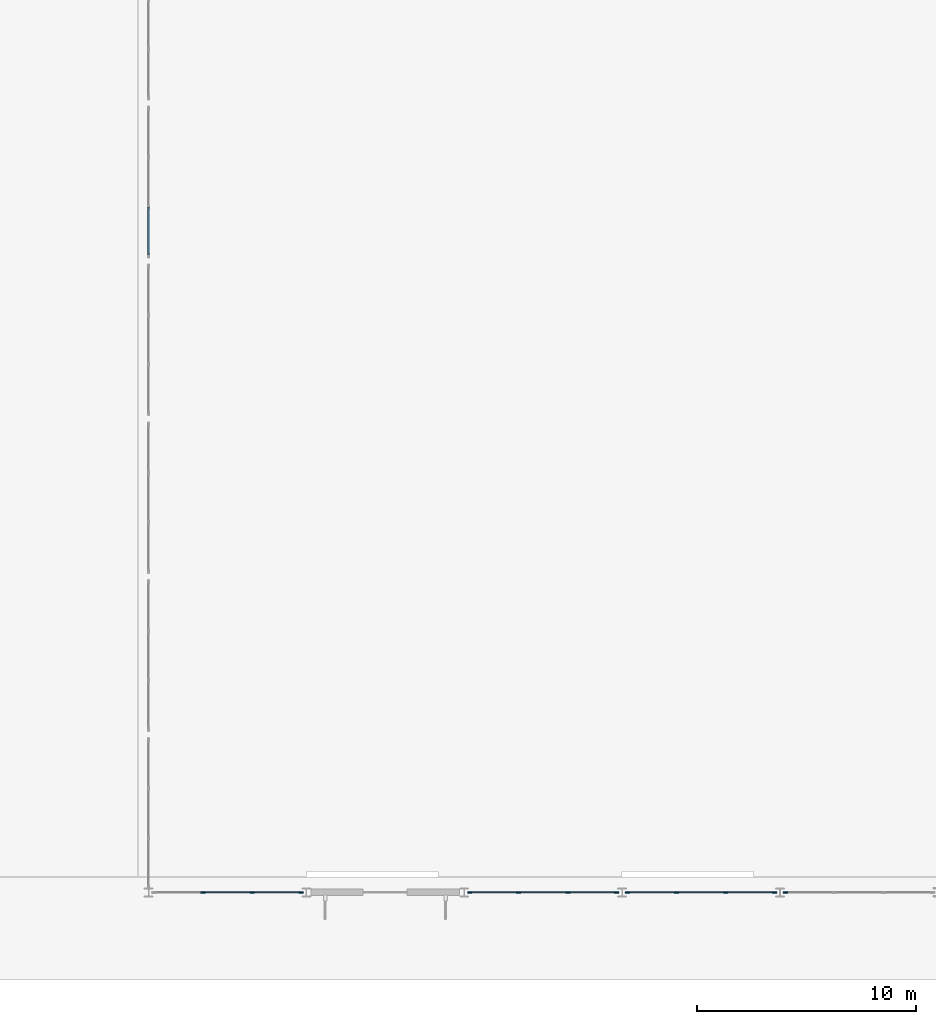
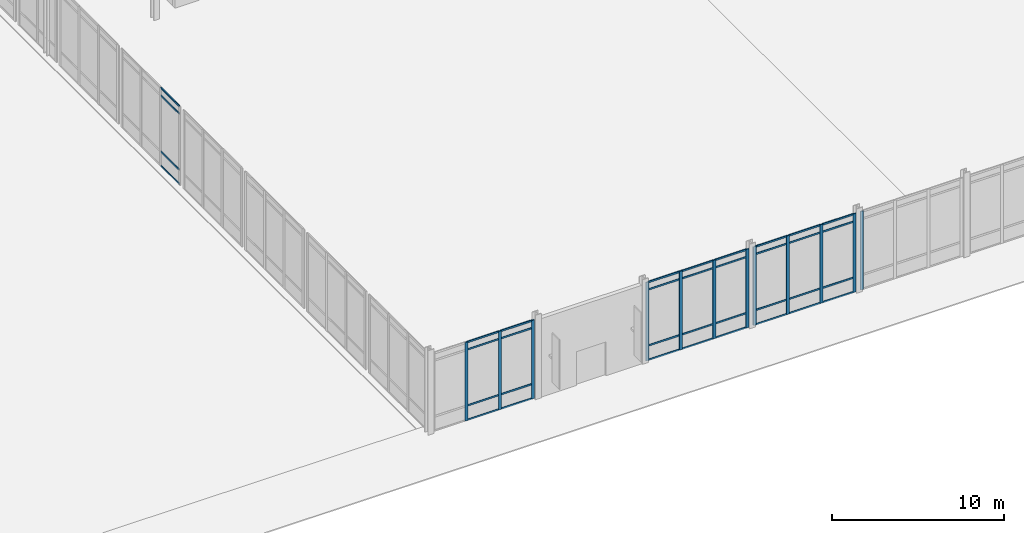
# One storey, part 20 of 104: 48 members, 5 elements without a shape of their own.
"""IFC4 building model written with IfcOpenShell, lengths in metres."""

from ifc_helpers import new_model, si_unit, direction, frame, origin, origin_2d, place, context, subcontext, project, spatial, rectangle, extrude, material, material_profile, profile_set, type_object, element, aggregate, save


model = new_model("IFC4")

# Units and contexts
model_context = context("Model", 3, precision=1e-05, world=origin(), true_north=direction((0.0, 1.0)))
body_context = subcontext(model_context, "Body", "Model", "MODEL_VIEW")
ifc_project = project(units=[si_unit("LENGTHUNIT", "METRE"), si_unit("AREAUNIT", "SQUARE_METRE"), si_unit("VOLUMEUNIT", "CUBIC_METRE"), si_unit("PLANEANGLEUNIT", "RADIAN"), si_unit("MASSUNIT", "GRAM", prefix="KILO")], contexts=[model_context])

# Site, building, storey
site_placement = place(None, origin())
site = spatial("IfcSite", under=ifc_project, at=site_placement, CompositionType="ELEMENT")
building_placement = place(site_placement, origin())
building = spatial("IfcBuilding", under=site, at=building_placement, Name="Vaelcorin Mobility Hub", CompositionType="ELEMENT")
storey_placement = place(building_placement, origin())
storey = spatial("IfcBuildingStorey", under=building, at=storey_placement, Name="L00", CompositionType="ELEMENT", Elevation=0.0)

# Curtain wall, members
ifc_material = material(Name="Anodised aluminium 6063-T6", Category="aluminium")
curtain_wall_type = type_object("IfcCurtainWallType", Name="CW-CONC-A", PredefinedType="NOTDEFINED", material=ifc_material)
curtain_wall_1_placement = place(storey_placement, origin())
curtain_wall_1 = element("IfcCurtainWall", 1, at=curtain_wall_1_placement, inside=storey, type_object=curtain_wall_type, Name="L00 Curtain Wall CW-V1-S-01", PredefinedType="NOTDEFINED")
ifc_material_profile_1 = material_profile(ifc_material, rectangle(XDim=0.070068359375, YDim=0.199951171875, at=origin_2d()), Name="ALU-M70X200")
ifc_profile_set_1 = profile_set([ifc_material_profile_1], Name="Anodised aluminium 6063-T6")
member_type_1 = type_object("IfcMemberType", Name="CW-MULL-200", PredefinedType="MULLION", material=ifc_profile_set_1)
member_1_placement = place(storey_placement, frame((42.949951171875, 6.0, 0.0), z_axis=(0.0, 0.0, 1.0), x_axis=(0.0, -1.0, 0.0)))
member_1 = element("IfcMember", 2, at=member_1_placement, type_object=member_type_1, Name="CW1 mullion 1", PredefinedType="MULLION", context=body_context, shape_type="SweptSolid", body=[
    extrude(rectangle(XDim=0.070068359375, YDim=0.199951171875, at=origin_2d()), origin(), (0.0, 0.0, 1.0), 5.580078125),
])
member_2_placement = place(storey_placement, frame((40.7265625, 6.0, 0.0), z_axis=(0.0, 0.0, 1.0), x_axis=(0.0, -1.0, 0.0)))
member_2 = element("IfcMember", 3, at=member_2_placement, type_object=member_type_1, Name="CW1 mullion 2", PredefinedType="MULLION", context=body_context, shape_type="SweptSolid", body=[
    extrude(rectangle(XDim=0.070068359375, YDim=0.199951171875, at=origin_2d()), origin(), (0.0, 0.0, 1.0), 5.580078125),
])
member_3_placement = place(storey_placement, frame((38.473388671875, 6.0, 0.0), z_axis=(0.0, 0.0, 1.0), x_axis=(0.0, -1.0, 0.0)))
member_3 = element("IfcMember", 4, at=member_3_placement, type_object=member_type_1, Name="CW1 mullion 3", PredefinedType="MULLION", context=body_context, shape_type="SweptSolid", body=[
    extrude(rectangle(XDim=0.070068359375, YDim=0.199951171875, at=origin_2d()), origin(), (0.0, 0.0, 1.0), 5.580078125),
])

curtain_wall_2_placement = place(storey_placement, origin())
curtain_wall_2 = element("IfcCurtainWall", 5, at=curtain_wall_2_placement, inside=storey, type_object=curtain_wall_type, Name="L00 Curtain Wall CW-V1-S-03", PredefinedType="NOTDEFINED")
member_4_placement = place(storey_placement, frame((57.35009765625, 6.0, 0.0), z_axis=(0.0, 0.0, 1.0), x_axis=(0.0, -1.0, 0.0)))
member_4 = element("IfcMember", 6, at=member_4_placement, type_object=member_type_1, Name="CW1 mullion 1", PredefinedType="MULLION", context=body_context, shape_type="SweptSolid", body=[
    extrude(rectangle(XDim=0.070068359375, YDim=0.199951171875, at=origin_2d()), origin(), (0.0, 0.0, 1.0), 5.580078125),
])
member_5_placement = place(storey_placement, frame((55.126708984375, 6.0, 0.0), z_axis=(0.0, 0.0, 1.0), x_axis=(0.0, -1.0, 0.0)))
member_5 = element("IfcMember", 7, at=member_5_placement, type_object=member_type_1, Name="CW1 mullion 2", PredefinedType="MULLION", context=body_context, shape_type="SweptSolid", body=[
    extrude(rectangle(XDim=0.070068359375, YDim=0.199951171875, at=origin_2d()), origin(), (0.0, 0.0, 1.0), 5.580078125),
])
member_6_placement = place(storey_placement, frame((52.873291015625, 6.0, 0.0), z_axis=(0.0, 0.0, 1.0), x_axis=(0.0, -1.0, 0.0)))
member_6 = element("IfcMember", 8, at=member_6_placement, type_object=member_type_1, Name="CW1 mullion 3", PredefinedType="MULLION", context=body_context, shape_type="SweptSolid", body=[
    extrude(rectangle(XDim=0.070068359375, YDim=0.199951171875, at=origin_2d()), origin(), (0.0, 0.0, 1.0), 5.580078125),
])
member_7_placement = place(storey_placement, frame((50.64990234375, 6.0, 0.0), z_axis=(0.0, 0.0, 1.0), x_axis=(0.0, -1.0, 0.0)))
member_7 = element("IfcMember", 9, at=member_7_placement, type_object=member_type_1, Name="CW1 mullion 4", PredefinedType="MULLION", context=body_context, shape_type="SweptSolid", body=[
    extrude(rectangle(XDim=0.070068359375, YDim=0.199951171875, at=origin_2d()), origin(), (0.0, 0.0, 1.0), 5.580078125),
])

curtain_wall_3_placement = place(storey_placement, origin())
curtain_wall_3 = element("IfcCurtainWall", 10, at=curtain_wall_3_placement, inside=storey, type_object=curtain_wall_type, Name="L00 Curtain Wall CW-V1-S-04", PredefinedType="NOTDEFINED")
member_8_placement = place(storey_placement, frame((64.550048828125, 6.0, 0.0), z_axis=(0.0, 0.0, 1.0), x_axis=(0.0, -1.0, 0.0)))
member_8 = element("IfcMember", 11, at=member_8_placement, type_object=member_type_1, Name="CW1 mullion 1", PredefinedType="MULLION", context=body_context, shape_type="SweptSolid", body=[
    extrude(rectangle(XDim=0.070068359375, YDim=0.199951171875, at=origin_2d()), origin(), (0.0, 0.0, 1.0), 5.580078125),
])
member_9_placement = place(storey_placement, frame((62.32666015625, 6.0, 0.0), z_axis=(0.0, 0.0, 1.0), x_axis=(0.0, -1.0, 0.0)))
member_9 = element("IfcMember", 12, at=member_9_placement, type_object=member_type_1, Name="CW1 mullion 2", PredefinedType="MULLION", context=body_context, shape_type="SweptSolid", body=[
    extrude(rectangle(XDim=0.070068359375, YDim=0.199951171875, at=origin_2d()), origin(), (0.0, 0.0, 1.0), 5.580078125),
])
member_10_placement = place(storey_placement, frame((60.0732421875, 6.0, 0.0), z_axis=(0.0, 0.0, 1.0), x_axis=(0.0, -1.0, 0.0)))
member_10 = element("IfcMember", 13, at=member_10_placement, type_object=member_type_1, Name="CW1 mullion 3", PredefinedType="MULLION", context=body_context, shape_type="SweptSolid", body=[
    extrude(rectangle(XDim=0.070068359375, YDim=0.199951171875, at=origin_2d()), origin(), (0.0, 0.0, 1.0), 5.580078125),
])
member_11_placement = place(storey_placement, frame((57.85009765625, 6.0, 0.0), z_axis=(0.0, 0.0, 1.0), x_axis=(0.0, -1.0, 0.0)))
member_11 = element("IfcMember", 14, at=member_11_placement, type_object=member_type_1, Name="CW1 mullion 4", PredefinedType="MULLION", context=body_context, shape_type="SweptSolid", body=[
    extrude(rectangle(XDim=0.070068359375, YDim=0.199951171875, at=origin_2d()), origin(), (0.0, 0.0, 1.0), 5.580078125),
])

# Curtain wall, member
curtain_wall_4_placement = place(storey_placement, origin())
curtain_wall_4 = element("IfcCurtainWall", 15, at=curtain_wall_4_placement, inside=storey, type_object=curtain_wall_type, Name="L00 Curtain Wall CW-V1-S-05", PredefinedType="NOTDEFINED")
member_12_placement = place(storey_placement, frame((65.050048828125, 6.0, 0.0), z_axis=(0.0, 0.0, 1.0), x_axis=(0.0, -1.0, 0.0)))
member_12 = element("IfcMember", 16, at=member_12_placement, type_object=member_type_1, Name="CW1 mullion 4", PredefinedType="MULLION", context=body_context, shape_type="SweptSolid", body=[
    extrude(rectangle(XDim=0.070068359375, YDim=0.199951171875, at=origin_2d()), origin(), (0.0, 0.0, 1.0), 5.580078125),
])
aggregate(curtain_wall_4, [member_12])

# Member
ifc_material_profile_2 = material_profile(ifc_material, rectangle(XDim=0.06005859375, YDim=0.1201171875, at=origin_2d()), Name="ALU-T60X120")
ifc_profile_set_2 = profile_set([ifc_material_profile_2], Name="Anodised aluminium 6063-T6")
member_type_2 = type_object("IfcMemberType", Name="CW-TRAN-140", PredefinedType="USERDEFINED", material=ifc_profile_set_2)
member_13_placement = place(storey_placement, frame((42.919921875, 6.0, 0.030029296875), z_axis=(-1.0, 0.0, 0.0), x_axis=(0.0, -1.0, 0.0)))
member_13 = element("IfcMember", 17, at=member_13_placement, type_object=member_type_2, Name="CW1 transom 1.1", ObjectType="TRANSOM", PredefinedType="USERDEFINED", context=body_context, shape_type="SweptSolid", body=[
    extrude(rectangle(XDim=0.06005859375, YDim=0.1201171875, at=origin_2d()), origin(), (0.0, 0.0, 1.0), 2.163330078125),
])

member_14_placement = place(storey_placement, frame((42.919921875, 6.0, 1.050048828125), z_axis=(-1.0, 0.0, 0.0), x_axis=(0.0, -1.0, 0.0)))
member_14 = element("IfcMember", 18, at=member_14_placement, type_object=member_type_2, Name="CW1 transom 1.2", ObjectType="TRANSOM", PredefinedType="USERDEFINED", context=body_context, shape_type="SweptSolid", body=[
    extrude(rectangle(XDim=0.06005859375, YDim=0.1201171875, at=origin_2d()), origin(), (0.0, 0.0, 1.0), 2.163330078125),
])

member_15_placement = place(storey_placement, frame((42.919921875, 6.0, 5.030029296875), z_axis=(-1.0, 0.0, 0.0), x_axis=(0.0, -1.0, 0.0)))
member_15 = element("IfcMember", 19, at=member_15_placement, type_object=member_type_2, Name="CW1 transom 1.3", ObjectType="TRANSOM", PredefinedType="USERDEFINED", context=body_context, shape_type="SweptSolid", body=[
    extrude(rectangle(XDim=0.06005859375, YDim=0.1201171875, at=origin_2d()), origin(), (0.0, 0.0, 1.0), 2.163330078125),
])

member_16_placement = place(storey_placement, frame((42.919921875, 6.0, 5.550048828125), z_axis=(-1.0, 0.0, 0.0), x_axis=(0.0, -1.0, 0.0)))
member_16 = element("IfcMember", 20, at=member_16_placement, type_object=member_type_2, Name="CW1 transom 1.4", ObjectType="TRANSOM", PredefinedType="USERDEFINED", context=body_context, shape_type="SweptSolid", body=[
    extrude(rectangle(XDim=0.06005859375, YDim=0.1201171875, at=origin_2d()), origin(), (0.0, 0.0, 1.0), 2.163330078125),
])

member_17_placement = place(storey_placement, frame((40.69677734375, 6.0, 0.030029296875), z_axis=(-1.0, 0.0, 0.0), x_axis=(0.0, -1.0, 0.0)))
member_17 = element("IfcMember", 21, at=member_17_placement, type_object=member_type_2, Name="CW1 transom 2.1", ObjectType="TRANSOM", PredefinedType="USERDEFINED", context=body_context, shape_type="SweptSolid", body=[
    extrude(rectangle(XDim=0.06005859375, YDim=0.1201171875, at=origin_2d()), origin(), (0.0, 0.0, 1.0), 2.193359375),
])

member_18_placement = place(storey_placement, frame((40.69677734375, 6.0, 1.050048828125), z_axis=(-1.0, 0.0, 0.0), x_axis=(0.0, -1.0, 0.0)))
member_18 = element("IfcMember", 22, at=member_18_placement, type_object=member_type_2, Name="CW1 transom 2.2", ObjectType="TRANSOM", PredefinedType="USERDEFINED", context=body_context, shape_type="SweptSolid", body=[
    extrude(rectangle(XDim=0.06005859375, YDim=0.1201171875, at=origin_2d()), origin(), (0.0, 0.0, 1.0), 2.193359375),
])

member_19_placement = place(storey_placement, frame((40.69677734375, 6.0, 5.030029296875), z_axis=(-1.0, 0.0, 0.0), x_axis=(0.0, -1.0, 0.0)))
member_19 = element("IfcMember", 23, at=member_19_placement, type_object=member_type_2, Name="CW1 transom 2.3", ObjectType="TRANSOM", PredefinedType="USERDEFINED", context=body_context, shape_type="SweptSolid", body=[
    extrude(rectangle(XDim=0.06005859375, YDim=0.1201171875, at=origin_2d()), origin(), (0.0, 0.0, 1.0), 2.193359375),
])

member_20_placement = place(storey_placement, frame((40.69677734375, 6.0, 5.550048828125), z_axis=(-1.0, 0.0, 0.0), x_axis=(0.0, -1.0, 0.0)))
member_20 = element("IfcMember", 24, at=member_20_placement, type_object=member_type_2, Name="CW1 transom 2.4", ObjectType="TRANSOM", PredefinedType="USERDEFINED", context=body_context, shape_type="SweptSolid", body=[
    extrude(rectangle(XDim=0.06005859375, YDim=0.1201171875, at=origin_2d()), origin(), (0.0, 0.0, 1.0), 2.193359375),
])

aggregate(curtain_wall_1, [member_1, member_2, member_3, member_13, member_14, member_15, member_16, member_17, member_18, member_19, member_20])

member_21_placement = place(storey_placement, frame((57.320068359375, 6.0, 0.030029296875), z_axis=(-1.0, 0.0, 0.0), x_axis=(0.0, -1.0, 0.0)))
member_21 = element("IfcMember", 25, at=member_21_placement, type_object=member_type_2, Name="CW1 transom 1.1", ObjectType="TRANSOM", PredefinedType="USERDEFINED", context=body_context, shape_type="SweptSolid", body=[
    extrude(rectangle(XDim=0.06005859375, YDim=0.1201171875, at=origin_2d()), origin(), (0.0, 0.0, 1.0), 2.163330078125),
])

member_22_placement = place(storey_placement, frame((57.320068359375, 6.0, 1.050048828125), z_axis=(-1.0, 0.0, 0.0), x_axis=(0.0, -1.0, 0.0)))
member_22 = element("IfcMember", 26, at=member_22_placement, type_object=member_type_2, Name="CW1 transom 1.2", ObjectType="TRANSOM", PredefinedType="USERDEFINED", context=body_context, shape_type="SweptSolid", body=[
    extrude(rectangle(XDim=0.06005859375, YDim=0.1201171875, at=origin_2d()), origin(), (0.0, 0.0, 1.0), 2.163330078125),
])

member_23_placement = place(storey_placement, frame((57.320068359375, 6.0, 5.030029296875), z_axis=(-1.0, 0.0, 0.0), x_axis=(0.0, -1.0, 0.0)))
member_23 = element("IfcMember", 27, at=member_23_placement, type_object=member_type_2, Name="CW1 transom 1.3", ObjectType="TRANSOM", PredefinedType="USERDEFINED", context=body_context, shape_type="SweptSolid", body=[
    extrude(rectangle(XDim=0.06005859375, YDim=0.1201171875, at=origin_2d()), origin(), (0.0, 0.0, 1.0), 2.163330078125),
])

member_24_placement = place(storey_placement, frame((57.320068359375, 6.0, 5.550048828125), z_axis=(-1.0, 0.0, 0.0), x_axis=(0.0, -1.0, 0.0)))
member_24 = element("IfcMember", 28, at=member_24_placement, type_object=member_type_2, Name="CW1 transom 1.4", ObjectType="TRANSOM", PredefinedType="USERDEFINED", context=body_context, shape_type="SweptSolid", body=[
    extrude(rectangle(XDim=0.06005859375, YDim=0.1201171875, at=origin_2d()), origin(), (0.0, 0.0, 1.0), 2.163330078125),
])

member_25_placement = place(storey_placement, frame((55.0966796875, 6.0, 0.030029296875), z_axis=(-1.0, 0.0, 0.0), x_axis=(0.0, -1.0, 0.0)))
member_25 = element("IfcMember", 29, at=member_25_placement, type_object=member_type_2, Name="CW1 transom 2.1", ObjectType="TRANSOM", PredefinedType="USERDEFINED", context=body_context, shape_type="SweptSolid", body=[
    extrude(rectangle(XDim=0.06005859375, YDim=0.1201171875, at=origin_2d()), origin(), (0.0, 0.0, 1.0), 2.193359375),
])

member_26_placement = place(storey_placement, frame((55.0966796875, 6.0, 1.050048828125), z_axis=(-1.0, 0.0, 0.0), x_axis=(0.0, -1.0, 0.0)))
member_26 = element("IfcMember", 30, at=member_26_placement, type_object=member_type_2, Name="CW1 transom 2.2", ObjectType="TRANSOM", PredefinedType="USERDEFINED", context=body_context, shape_type="SweptSolid", body=[
    extrude(rectangle(XDim=0.06005859375, YDim=0.1201171875, at=origin_2d()), origin(), (0.0, 0.0, 1.0), 2.193359375),
])

member_27_placement = place(storey_placement, frame((55.0966796875, 6.0, 5.030029296875), z_axis=(-1.0, 0.0, 0.0), x_axis=(0.0, -1.0, 0.0)))
member_27 = element("IfcMember", 31, at=member_27_placement, type_object=member_type_2, Name="CW1 transom 2.3", ObjectType="TRANSOM", PredefinedType="USERDEFINED", context=body_context, shape_type="SweptSolid", body=[
    extrude(rectangle(XDim=0.06005859375, YDim=0.1201171875, at=origin_2d()), origin(), (0.0, 0.0, 1.0), 2.193359375),
])

member_28_placement = place(storey_placement, frame((55.0966796875, 6.0, 5.550048828125), z_axis=(-1.0, 0.0, 0.0), x_axis=(0.0, -1.0, 0.0)))
member_28 = element("IfcMember", 32, at=member_28_placement, type_object=member_type_2, Name="CW1 transom 2.4", ObjectType="TRANSOM", PredefinedType="USERDEFINED", context=body_context, shape_type="SweptSolid", body=[
    extrude(rectangle(XDim=0.06005859375, YDim=0.1201171875, at=origin_2d()), origin(), (0.0, 0.0, 1.0), 2.193359375),
])

member_29_placement = place(storey_placement, frame((52.84326171875, 6.0, 0.030029296875), z_axis=(-1.0, 0.0, 0.0), x_axis=(0.0, -1.0, 0.0)))
member_29 = element("IfcMember", 33, at=member_29_placement, type_object=member_type_2, Name="CW1 transom 3.1", ObjectType="TRANSOM", PredefinedType="USERDEFINED", context=body_context, shape_type="SweptSolid", body=[
    extrude(rectangle(XDim=0.06005859375, YDim=0.1201171875, at=origin_2d()), origin(), (0.0, 0.0, 1.0), 2.163330078125),
])

member_30_placement = place(storey_placement, frame((52.84326171875, 6.0, 1.050048828125), z_axis=(-1.0, 0.0, 0.0), x_axis=(0.0, -1.0, 0.0)))
member_30 = element("IfcMember", 34, at=member_30_placement, type_object=member_type_2, Name="CW1 transom 3.2", ObjectType="TRANSOM", PredefinedType="USERDEFINED", context=body_context, shape_type="SweptSolid", body=[
    extrude(rectangle(XDim=0.06005859375, YDim=0.1201171875, at=origin_2d()), origin(), (0.0, 0.0, 1.0), 2.163330078125),
])

member_31_placement = place(storey_placement, frame((52.84326171875, 6.0, 5.030029296875), z_axis=(-1.0, 0.0, 0.0), x_axis=(0.0, -1.0, 0.0)))
member_31 = element("IfcMember", 35, at=member_31_placement, type_object=member_type_2, Name="CW1 transom 3.3", ObjectType="TRANSOM", PredefinedType="USERDEFINED", context=body_context, shape_type="SweptSolid", body=[
    extrude(rectangle(XDim=0.06005859375, YDim=0.1201171875, at=origin_2d()), origin(), (0.0, 0.0, 1.0), 2.163330078125),
])

member_32_placement = place(storey_placement, frame((52.84326171875, 6.0, 5.550048828125), z_axis=(-1.0, 0.0, 0.0), x_axis=(0.0, -1.0, 0.0)))
member_32 = element("IfcMember", 36, at=member_32_placement, type_object=member_type_2, Name="CW1 transom 3.4", ObjectType="TRANSOM", PredefinedType="USERDEFINED", context=body_context, shape_type="SweptSolid", body=[
    extrude(rectangle(XDim=0.06005859375, YDim=0.1201171875, at=origin_2d()), origin(), (0.0, 0.0, 1.0), 2.163330078125),
])

aggregate(curtain_wall_2, [member_4, member_5, member_6, member_7, member_21, member_22, member_23, member_24, member_25, member_26, member_27, member_28, member_29, member_30, member_31, member_32])

member_33_placement = place(storey_placement, frame((64.52001953125, 6.0, 0.030029296875), z_axis=(-1.0, 0.0, 0.0), x_axis=(0.0, -1.0, 0.0)))
member_33 = element("IfcMember", 37, at=member_33_placement, type_object=member_type_2, Name="CW1 transom 1.1", ObjectType="TRANSOM", PredefinedType="USERDEFINED", context=body_context, shape_type="SweptSolid", body=[
    extrude(rectangle(XDim=0.06005859375, YDim=0.1201171875, at=origin_2d()), origin(), (0.0, 0.0, 1.0), 2.163330078125),
])

member_34_placement = place(storey_placement, frame((64.52001953125, 6.0, 1.050048828125), z_axis=(-1.0, 0.0, 0.0), x_axis=(0.0, -1.0, 0.0)))
member_34 = element("IfcMember", 38, at=member_34_placement, type_object=member_type_2, Name="CW1 transom 1.2", ObjectType="TRANSOM", PredefinedType="USERDEFINED", context=body_context, shape_type="SweptSolid", body=[
    extrude(rectangle(XDim=0.06005859375, YDim=0.1201171875, at=origin_2d()), origin(), (0.0, 0.0, 1.0), 2.163330078125),
])

member_35_placement = place(storey_placement, frame((64.52001953125, 6.0, 5.030029296875), z_axis=(-1.0, 0.0, 0.0), x_axis=(0.0, -1.0, 0.0)))
member_35 = element("IfcMember", 39, at=member_35_placement, type_object=member_type_2, Name="CW1 transom 1.3", ObjectType="TRANSOM", PredefinedType="USERDEFINED", context=body_context, shape_type="SweptSolid", body=[
    extrude(rectangle(XDim=0.06005859375, YDim=0.1201171875, at=origin_2d()), origin(), (0.0, 0.0, 1.0), 2.163330078125),
])

member_36_placement = place(storey_placement, frame((64.52001953125, 6.0, 5.550048828125), z_axis=(-1.0, 0.0, 0.0), x_axis=(0.0, -1.0, 0.0)))
member_36 = element("IfcMember", 40, at=member_36_placement, type_object=member_type_2, Name="CW1 transom 1.4", ObjectType="TRANSOM", PredefinedType="USERDEFINED", context=body_context, shape_type="SweptSolid", body=[
    extrude(rectangle(XDim=0.06005859375, YDim=0.1201171875, at=origin_2d()), origin(), (0.0, 0.0, 1.0), 2.163330078125),
])

member_37_placement = place(storey_placement, frame((62.296630859375, 6.0, 0.030029296875), z_axis=(-1.0, 0.0, 0.0), x_axis=(0.0, -1.0, 0.0)))
member_37 = element("IfcMember", 41, at=member_37_placement, type_object=member_type_2, Name="CW1 transom 2.1", ObjectType="TRANSOM", PredefinedType="USERDEFINED", context=body_context, shape_type="SweptSolid", body=[
    extrude(rectangle(XDim=0.06005859375, YDim=0.1201171875, at=origin_2d()), origin(), (0.0, 0.0, 1.0), 2.193359375),
])

member_38_placement = place(storey_placement, frame((62.296630859375, 6.0, 1.050048828125), z_axis=(-1.0, 0.0, 0.0), x_axis=(0.0, -1.0, 0.0)))
member_38 = element("IfcMember", 42, at=member_38_placement, type_object=member_type_2, Name="CW1 transom 2.2", ObjectType="TRANSOM", PredefinedType="USERDEFINED", context=body_context, shape_type="SweptSolid", body=[
    extrude(rectangle(XDim=0.06005859375, YDim=0.1201171875, at=origin_2d()), origin(), (0.0, 0.0, 1.0), 2.193359375),
])

member_39_placement = place(storey_placement, frame((62.296630859375, 6.0, 5.030029296875), z_axis=(-1.0, 0.0, 0.0), x_axis=(0.0, -1.0, 0.0)))
member_39 = element("IfcMember", 43, at=member_39_placement, type_object=member_type_2, Name="CW1 transom 2.3", ObjectType="TRANSOM", PredefinedType="USERDEFINED", context=body_context, shape_type="SweptSolid", body=[
    extrude(rectangle(XDim=0.06005859375, YDim=0.1201171875, at=origin_2d()), origin(), (0.0, 0.0, 1.0), 2.193359375),
])

member_40_placement = place(storey_placement, frame((62.296630859375, 6.0, 5.550048828125), z_axis=(-1.0, 0.0, 0.0), x_axis=(0.0, -1.0, 0.0)))
member_40 = element("IfcMember", 44, at=member_40_placement, type_object=member_type_2, Name="CW1 transom 2.4", ObjectType="TRANSOM", PredefinedType="USERDEFINED", context=body_context, shape_type="SweptSolid", body=[
    extrude(rectangle(XDim=0.06005859375, YDim=0.1201171875, at=origin_2d()), origin(), (0.0, 0.0, 1.0), 2.193359375),
])

member_41_placement = place(storey_placement, frame((60.043212890625, 6.0, 0.030029296875), z_axis=(-1.0, 0.0, 0.0), x_axis=(0.0, -1.0, 0.0)))
member_41 = element("IfcMember", 45, at=member_41_placement, type_object=member_type_2, Name="CW1 transom 3.1", ObjectType="TRANSOM", PredefinedType="USERDEFINED", context=body_context, shape_type="SweptSolid", body=[
    extrude(rectangle(XDim=0.06005859375, YDim=0.1201171875, at=origin_2d()), origin(), (0.0, 0.0, 1.0), 2.163330078125),
])

member_42_placement = place(storey_placement, frame((60.043212890625, 6.0, 1.050048828125), z_axis=(-1.0, 0.0, 0.0), x_axis=(0.0, -1.0, 0.0)))
member_42 = element("IfcMember", 46, at=member_42_placement, type_object=member_type_2, Name="CW1 transom 3.2", ObjectType="TRANSOM", PredefinedType="USERDEFINED", context=body_context, shape_type="SweptSolid", body=[
    extrude(rectangle(XDim=0.06005859375, YDim=0.1201171875, at=origin_2d()), origin(), (0.0, 0.0, 1.0), 2.163330078125),
])

member_43_placement = place(storey_placement, frame((60.043212890625, 6.0, 5.030029296875), z_axis=(-1.0, 0.0, 0.0), x_axis=(0.0, -1.0, 0.0)))
member_43 = element("IfcMember", 47, at=member_43_placement, type_object=member_type_2, Name="CW1 transom 3.3", ObjectType="TRANSOM", PredefinedType="USERDEFINED", context=body_context, shape_type="SweptSolid", body=[
    extrude(rectangle(XDim=0.06005859375, YDim=0.1201171875, at=origin_2d()), origin(), (0.0, 0.0, 1.0), 2.163330078125),
])

member_44_placement = place(storey_placement, frame((60.043212890625, 6.0, 5.550048828125), z_axis=(-1.0, 0.0, 0.0), x_axis=(0.0, -1.0, 0.0)))
member_44 = element("IfcMember", 48, at=member_44_placement, type_object=member_type_2, Name="CW1 transom 3.4", ObjectType="TRANSOM", PredefinedType="USERDEFINED", context=body_context, shape_type="SweptSolid", body=[
    extrude(rectangle(XDim=0.06005859375, YDim=0.1201171875, at=origin_2d()), origin(), (0.0, 0.0, 1.0), 2.163330078125),
])

aggregate(curtain_wall_3, [member_8, member_9, member_10, member_11, member_33, member_34, member_35, member_36, member_37, member_38, member_39, member_40, member_41, member_42, member_43, member_44])

# Curtain wall, members
curtain_wall_5_placement = place(storey_placement, origin())
curtain_wall_5 = element("IfcCurtainWall", 49, at=curtain_wall_5_placement, inside=storey, type_object=curtain_wall_type, Name="L00 Curtain Wall CW-V1-W-05", PredefinedType="NOTDEFINED")
member_45_placement = place(storey_placement, frame((36.0, 35.080078125, 0.030029296875), z_axis=(0.0, 1.0, 0.0), x_axis=(-1.0, 0.0, 0.0)))
member_45 = element("IfcMember", 50, at=member_45_placement, type_object=member_type_2, Name="CW1 transom 1.1", ObjectType="TRANSOM", PredefinedType="USERDEFINED", context=body_context, shape_type="SweptSolid", body=[
    extrude(rectangle(XDim=0.06005859375, YDim=0.1201171875, at=origin_2d()), origin(), (0.0, 0.0, 1.0), 2.163330078125),
])
member_46_placement = place(storey_placement, frame((36.0, 35.080078125, 1.050048828125), z_axis=(0.0, 1.0, 0.0), x_axis=(-1.0, 0.0, 0.0)))
member_46 = element("IfcMember", 51, at=member_46_placement, type_object=member_type_2, Name="CW1 transom 1.2", ObjectType="TRANSOM", PredefinedType="USERDEFINED", context=body_context, shape_type="SweptSolid", body=[
    extrude(rectangle(XDim=0.06005859375, YDim=0.1201171875, at=origin_2d()), origin(), (0.0, 0.0, 1.0), 2.163330078125),
])
member_47_placement = place(storey_placement, frame((36.0, 35.080078125, 5.030029296875), z_axis=(0.0, 1.0, 0.0), x_axis=(-1.0, 0.0, 0.0)))
member_47 = element("IfcMember", 52, at=member_47_placement, type_object=member_type_2, Name="CW1 transom 1.3", ObjectType="TRANSOM", PredefinedType="USERDEFINED", context=body_context, shape_type="SweptSolid", body=[
    extrude(rectangle(XDim=0.06005859375, YDim=0.1201171875, at=origin_2d()), origin(), (0.0, 0.0, 1.0), 2.163330078125),
])
member_48_placement = place(storey_placement, frame((36.0, 35.080078125, 5.550048828125), z_axis=(0.0, 1.0, 0.0), x_axis=(-1.0, 0.0, 0.0)))
member_48 = element("IfcMember", 53, at=member_48_placement, type_object=member_type_2, Name="CW1 transom 1.4", ObjectType="TRANSOM", PredefinedType="USERDEFINED", context=body_context, shape_type="SweptSolid", body=[
    extrude(rectangle(XDim=0.06005859375, YDim=0.1201171875, at=origin_2d()), origin(), (0.0, 0.0, 1.0), 2.163330078125),
])
aggregate(curtain_wall_5, [member_45, member_46, member_47, member_48])

save(model, "model.ifc")
